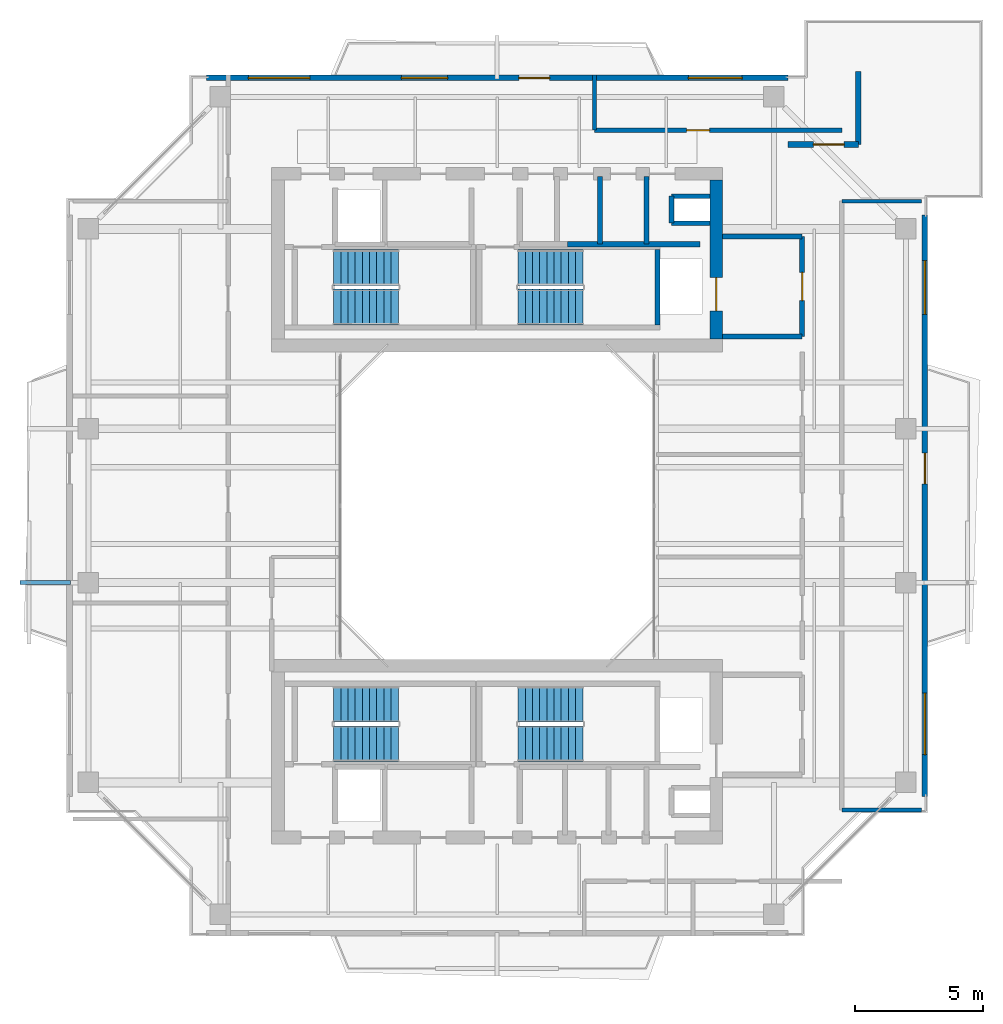
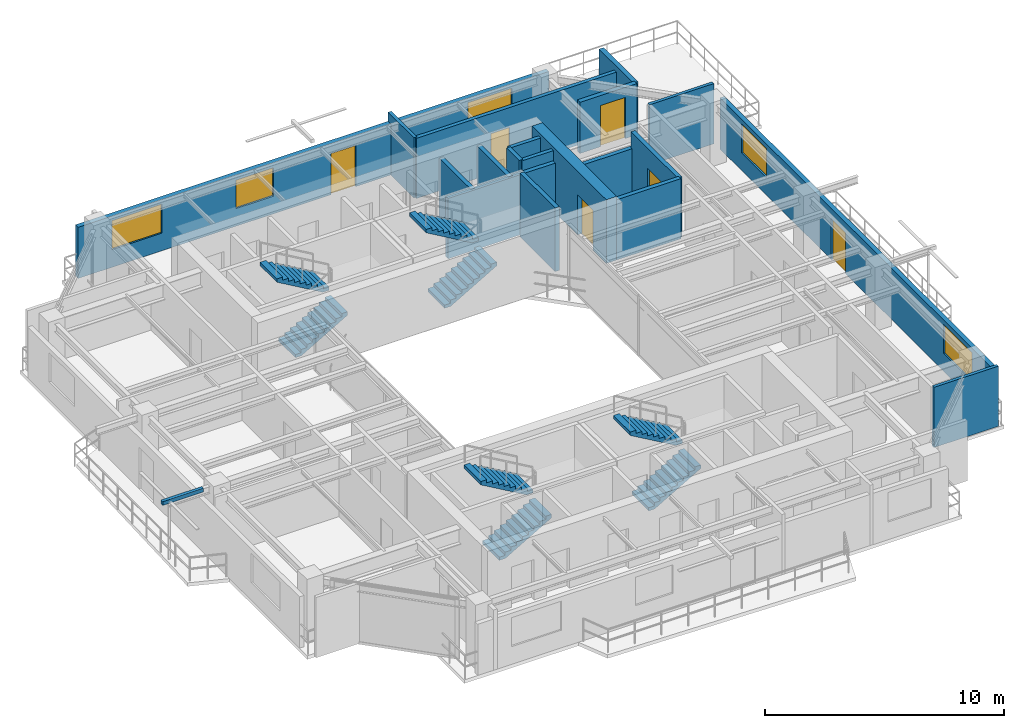
# One storey, part 12 of 16: 19 walls, 8 stair flights, 6 doors, 5 windows, 1 discrete accessory, 11 openings, 4 elements without a shape of their own.
"""IFC4 building model written with IfcOpenShell, lengths in metres."""

from ifc_helpers import new_model, si_unit, direction, frame, frame_2d, origin, origin_2d, place, context, subcontext, project, spatial, polyline, rectangle, outline, extrude, source, transform, mapped, material, layer, layer_set, type_object, element, fill, aggregate, save


model = new_model("IFC4")

# Units and contexts
model_context = context("Model", 3, precision=1e-05, world=origin(), true_north=direction((0.0, 1.0)))
body_context = subcontext(model_context, "Body", "Model", "MODEL_VIEW")
ifc_project = project(units=[si_unit("LENGTHUNIT", "METRE"), si_unit("AREAUNIT", "SQUARE_METRE"), si_unit("VOLUMEUNIT", "CUBIC_METRE"), si_unit("PLANEANGLEUNIT", "RADIAN"), si_unit("MASSUNIT", "GRAM", prefix="KILO"), si_unit("THERMODYNAMICTEMPERATUREUNIT", "KELVIN"), si_unit("POWERUNIT", "WATT")], contexts=[model_context])

# Site, building, storey
site_placement = place(None, origin())
site = spatial("IfcSite", under=ifc_project, at=site_placement, CompositionType="ELEMENT")
building_placement = place(site_placement, origin())
building = spatial("IfcBuilding", under=site, at=building_placement, Name="Qiaomeng Ring Towers", CompositionType="ELEMENT")
storey_placement = place(building_placement, frame((0.0, 0.0, 223.0)))
storey = spatial("IfcBuildingStorey", under=building, at=storey_placement, Name="L65", CompositionType="ELEMENT", Elevation=223.0)

# Wall, openings, windows, door
ifc_material_1 = material(Name="Precast concrete C40", Category="concrete")
ifc_layer_1 = layer(ifc_material_1, 0.219970703125, Name="Precast concrete C40")
ifc_layer_set_1 = layer_set([ifc_layer_1], Name="Precast concrete C40")
wall_type_1 = type_object("IfcWallType", Name="ARC-WL-EW2", PredefinedType="STANDARD", material=ifc_layer_set_1)
wall_1_placement = place(storey_placement, frame((7.64990234375, 39.68994140625, 0.0), z_axis=(0.0, 0.0, 1.0), x_axis=(1.0, 0.0, 0.0)))
wall_1 = element("IfcWall", 1, at=wall_1_placement, inside=storey, type_object=wall_type_1, Name="L65 Tower 1 N Exterior Wall", PredefinedType="STANDARD", context=body_context, shape_type="SweptSolid", body=[
    extrude(rectangle(XDim=22.7001953125, YDim=0.219970703125, at=frame_2d((11.35009765625, 0.0))), origin(), (0.0, 0.0, 1.0), 2.610107421875),
])
opening_1_placement = place(wall_1_placement, frame((12.199951171875, 0.0, 0.0)))
opening_1 = element("IfcOpeningElement", 2, at=opening_1_placement, cuts=wall_1, Name="Opening BD1", PredefinedType="OPENING", context=body_context, shape_type="SweptSolid", body=[
    extrude(rectangle(XDim=1.199951171875, YDim=2.10009765625, at=frame_2d((0.60009765625, 1.050048828125))), frame((0.0, 0.119873046875, 0.0), z_axis=(0.0, -1.0, 0.0), x_axis=(1.0, 0.0, 0.0)), (0.0, 0.0, 1.0), 0.239990234375),
])
opening_2_placement = place(wall_1_placement, frame((1.636962890625, 0.0, 0.89990234375)))
opening_2 = element("IfcOpeningElement", 3, at=opening_2_placement, cuts=wall_1, Name="Opening WN6", PredefinedType="OPENING", context=body_context, shape_type="SweptSolid", body=[
    extrude(rectangle(XDim=2.39990234375, YDim=1.47998046875, at=frame_2d((1.199951171875, 0.739990234375))), frame((0.0, 0.119873046875, 0.0), z_axis=(0.0, -1.0, 0.0), x_axis=(1.0, 0.0, 0.0)), (0.0, 0.0, 1.0), 0.239990234375),
])
opening_3_placement = place(wall_1_placement, frame((7.612060546875, 0.0, 0.89990234375)))
opening_3 = element("IfcOpeningElement", 4, at=opening_3_placement, cuts=wall_1, Name="Opening WN1", PredefinedType="OPENING", context=body_context, shape_type="SweptSolid", body=[
    extrude(rectangle(XDim=1.800048828125, YDim=1.449951171875, at=frame_2d((0.89990234375, 0.72509765625))), frame((0.0, 0.119873046875, 0.0), z_axis=(0.0, -1.0, 0.0), x_axis=(1.0, 0.0, 0.0)), (0.0, 0.0, 1.0), 0.239990234375),
])
opening_4_placement = place(wall_1_placement, frame((18.81201171875, 0.0, 0.89990234375)))
opening_4 = element("IfcOpeningElement", 5, at=opening_4_placement, cuts=wall_1, Name="Opening WN4", PredefinedType="OPENING", context=body_context, shape_type="SweptSolid", body=[
    extrude(rectangle(XDim=2.10009765625, YDim=1.47998046875, at=frame_2d((1.050048828125, 0.739990234375))), frame((0.0, 0.119873046875, 0.0), z_axis=(0.0, -1.0, 0.0), x_axis=(1.0, 0.0, 0.0)), (0.0, 0.0, 1.0), 0.239990234375),
])
ifc_material_2 = material(Name="Low-E dark-grey laminated double glazing", Category="glass")
window_type_1 = type_object("IfcWindowType", Name="ARC-WN-4", PartitioningType="TRIPLE_PANEL_VERTICAL", PredefinedType="WINDOW", material=ifc_material_2)
shared_shape_1 = source(origin(), body_context, "Body", "SweptSolid", [
    extrude(rectangle(XDim=2.10009765625, YDim=1.47998046875, at=frame_2d((1.050048828125, 0.739990234375))), frame((0.0, 0.030029296875, 0.0), z_axis=(0.0, -1.0, 0.0), x_axis=(1.0, 0.0, 0.0)), (0.0, 0.0, 1.0), 0.06005859375),
])
window_1_placement = place(opening_4_placement, origin())
window_1 = element("IfcWindow", 6, at=window_1_placement, inside=storey, type_object=window_type_1, Name="L65 Exterior Window WN4", OverallHeight=1.47998046875, OverallWidth=2.10009765625, PartitioningType="TRIPLE_PANEL_VERTICAL", PredefinedType="WINDOW", context=body_context, shape_type="MappedRepresentation", body=[
    mapped(shared_shape_1, transform((0.0, 0.0, 0.0), x_axis=(1.0, 0.0, 0.0), y_axis=(0.0, 1.0, 0.0), z_axis=(0.0, 0.0, 1.0), scale=1.0)),
])
fill(opening_4, window_1)
window_type_2 = type_object("IfcWindowType", Name="ARC-WN-1", PartitioningType="DOUBLE_PANEL_VERTICAL", PredefinedType="WINDOW", material=ifc_material_2)
shared_shape_2 = source(origin(), body_context, "Body", "SweptSolid", [
    extrude(rectangle(XDim=1.800048828125, YDim=1.449951171875, at=frame_2d((0.89990234375, 0.72509765625))), frame((0.0, 0.030029296875, 0.0), z_axis=(0.0, -1.0, 0.0), x_axis=(1.0, 0.0, 0.0)), (0.0, 0.0, 1.0), 0.06005859375),
])
window_2_placement = place(opening_3_placement, origin())
window_2 = element("IfcWindow", 7, at=window_2_placement, inside=storey, type_object=window_type_2, Name="L65 Exterior Window WN1", OverallHeight=1.449951171875, OverallWidth=1.800048828125, PartitioningType="DOUBLE_PANEL_VERTICAL", PredefinedType="WINDOW", context=body_context, shape_type="MappedRepresentation", body=[
    mapped(shared_shape_2, transform((0.0, 0.0, 0.0), x_axis=(1.0, 0.0, 0.0), y_axis=(0.0, 1.0, 0.0), z_axis=(0.0, 0.0, 1.0), scale=1.0)),
])
fill(opening_3, window_2)
window_type_3 = type_object("IfcWindowType", Name="ARC-WN-6", PartitioningType="TRIPLE_PANEL_VERTICAL", PredefinedType="WINDOW", material=ifc_material_2)
shared_shape_3 = source(origin(), body_context, "Body", "SweptSolid", [
    extrude(rectangle(XDim=2.39990234375, YDim=1.47998046875, at=frame_2d((1.199951171875, 0.739990234375))), frame((0.0, 0.030029296875, 0.0), z_axis=(0.0, -1.0, 0.0), x_axis=(1.0, 0.0, 0.0)), (0.0, 0.0, 1.0), 0.06005859375),
])
window_3_placement = place(opening_2_placement, origin())
window_3 = element("IfcWindow", 8, at=window_3_placement, inside=storey, type_object=window_type_3, Name="L65 Exterior Window WN6", OverallHeight=1.47998046875, OverallWidth=2.39990234375, PartitioningType="TRIPLE_PANEL_VERTICAL", PredefinedType="WINDOW", context=body_context, shape_type="MappedRepresentation", body=[
    mapped(shared_shape_3, transform((0.0, 0.0, 0.0), x_axis=(1.0, 0.0, 0.0), y_axis=(0.0, 1.0, 0.0), z_axis=(0.0, 0.0, 1.0), scale=1.0)),
])
fill(opening_2, window_3)
door_type_1 = type_object("IfcDoorType", Name="ARC-DR-BD1", OperationType="NOTDEFINED", PredefinedType="DOOR", material=ifc_material_2)
shared_shape_4 = source(origin(), body_context, "Body", "SweptSolid", [
    extrude(rectangle(XDim=1.199951171875, YDim=2.10009765625, at=frame_2d((0.60009765625, 1.050048828125))), frame((0.0, 0.02490234375, 0.0), z_axis=(0.0, -1.0, 0.0), x_axis=(1.0, 0.0, 0.0)), (0.0, 0.0, 1.0), 0.050048828125),
])
door_1_placement = place(opening_1_placement, origin())
door_1 = element("IfcDoor", 9, at=door_1_placement, inside=storey, type_object=door_type_1, Name="L65 N Balcony Glazed Door", OperationType="SINGLE_SWING_LEFT", OverallHeight=2.10009765625, OverallWidth=1.199951171875, PredefinedType="DOOR", context=body_context, shape_type="MappedRepresentation", body=[
    mapped(shared_shape_4, transform((0.0, 0.0, 0.0), x_axis=(1.0, 0.0, 0.0), y_axis=(0.0, 1.0, 0.0), z_axis=(0.0, 0.0, 1.0), scale=1.0)),
])
fill(opening_1, door_1)

wall_2_placement = place(storey_placement, frame((35.68994140625, 11.64990234375, 0.0), z_axis=(0.0, 0.0, 1.0), x_axis=(0.0, 1.0, 0.0)))
wall_2 = element("IfcWall", 10, at=wall_2_placement, inside=storey, type_object=wall_type_1, Name="L65 Tower 1 E Exterior Wall", PredefinedType="STANDARD", context=body_context, shape_type="SweptSolid", body=[
    extrude(rectangle(XDim=22.7001953125, YDim=0.219970703125, at=frame_2d((11.35009765625, 0.0))), origin(), (0.0, 0.0, 1.0), 2.610107421875),
])
opening_5_placement = place(wall_2_placement, frame((12.199951171875, 0.0, 0.0)))
opening_5 = element("IfcOpeningElement", 11, at=opening_5_placement, cuts=wall_2, Name="Opening BD1", PredefinedType="OPENING", context=body_context, shape_type="SweptSolid", body=[
    extrude(rectangle(XDim=1.199951171875, YDim=2.10009765625, at=frame_2d((0.60009765625, 1.050048828125))), frame((0.0, 0.119873046875, 0.0), z_axis=(0.0, -1.0, 0.0), x_axis=(1.0, 0.0, 0.0)), (0.0, 0.0, 1.0), 0.239990234375),
])
opening_6_placement = place(wall_2_placement, frame((1.637939453125, 0.0, 0.89990234375)))
opening_6 = element("IfcOpeningElement", 12, at=opening_6_placement, cuts=wall_2, Name="Opening WN6", PredefinedType="OPENING", context=body_context, shape_type="SweptSolid", body=[
    extrude(rectangle(XDim=2.39990234375, YDim=1.47998046875, at=frame_2d((1.199951171875, 0.739990234375))), frame((0.0, 0.119873046875, 0.0), z_axis=(0.0, -1.0, 0.0), x_axis=(1.0, 0.0, 0.0)), (0.0, 0.0, 1.0), 0.239990234375),
])
opening_7_placement = place(wall_2_placement, frame((18.81298828125, 0.0, 0.89990234375)))
opening_7 = element("IfcOpeningElement", 13, at=opening_7_placement, cuts=wall_2, Name="Opening WN4", PredefinedType="OPENING", context=body_context, shape_type="SweptSolid", body=[
    extrude(rectangle(XDim=2.10009765625, YDim=1.47998046875, at=frame_2d((1.050048828125, 0.739990234375))), frame((0.0, 0.119873046875, 0.0), z_axis=(0.0, -1.0, 0.0), x_axis=(1.0, 0.0, 0.0)), (0.0, 0.0, 1.0), 0.239990234375),
])
window_4_placement = place(opening_7_placement, origin())
window_4 = element("IfcWindow", 14, at=window_4_placement, inside=storey, type_object=window_type_1, Name="L65 Exterior Window WN4", OverallHeight=1.47998046875, OverallWidth=2.10009765625, PartitioningType="TRIPLE_PANEL_VERTICAL", PredefinedType="WINDOW", context=body_context, shape_type="MappedRepresentation", body=[
    mapped(shared_shape_1, transform((0.0, 0.0, 0.0), x_axis=(1.0, 0.0, 0.0), y_axis=(0.0, 1.0, 0.0), z_axis=(0.0, 0.0, 1.0), scale=1.0)),
])
fill(opening_7, window_4)
window_5_placement = place(opening_6_placement, origin())
window_5 = element("IfcWindow", 15, at=window_5_placement, inside=storey, type_object=window_type_3, Name="L65 Exterior Window WN6", OverallHeight=1.47998046875, OverallWidth=2.39990234375, PartitioningType="TRIPLE_PANEL_VERTICAL", PredefinedType="WINDOW", context=body_context, shape_type="MappedRepresentation", body=[
    mapped(shared_shape_3, transform((0.0, 0.0, 0.0), x_axis=(1.0, 0.0, 0.0), y_axis=(0.0, 1.0, 0.0), z_axis=(0.0, 0.0, 1.0), scale=1.0)),
])
fill(opening_6, window_5)
door_2_placement = place(opening_5_placement, origin())
door_2 = element("IfcDoor", 16, at=door_2_placement, inside=storey, type_object=door_type_1, Name="L65 E Balcony Glazed Door", OperationType="SINGLE_SWING_LEFT", OverallHeight=2.10009765625, OverallWidth=1.199951171875, PredefinedType="DOOR", context=body_context, shape_type="MappedRepresentation", body=[
    mapped(shared_shape_4, transform((0.0, 0.0, 0.0), x_axis=(1.0, 0.0, 0.0), y_axis=(0.0, 1.0, 0.0), z_axis=(0.0, 0.0, 1.0), scale=1.0)),
])
fill(opening_5, door_2)

# Wall, opening, door
wall_3_placement = place(storey_placement, frame((30.35009765625, 37.090087890625, 0.0), z_axis=(0.0, 0.0, 1.0), x_axis=(1.0, 0.0, 0.0)))
wall_3 = element("IfcWall", 17, at=wall_3_placement, inside=storey, type_object=wall_type_1, Name="L65 Spiral Terrace Wall NE", PredefinedType="STANDARD", context=body_context, shape_type="SweptSolid", body=[
    extrude(rectangle(XDim=2.739990234375, YDim=0.219970703125, at=frame_2d((1.3701171875, 0.0))), origin(), (0.0, 0.0, 1.0), 2.610107421875),
])
opening_8_placement = place(wall_3_placement, frame((0.989990234375, 0.0, 0.0)))
opening_8 = element("IfcOpeningElement", 18, at=opening_8_placement, cuts=wall_3, Name="Opening BD1", PredefinedType="OPENING", context=body_context, shape_type="SweptSolid", body=[
    extrude(rectangle(XDim=1.199951171875, YDim=2.10009765625, at=frame_2d((0.60009765625, 1.050048828125))), frame((0.0, 0.119873046875, 0.0), z_axis=(0.0, -1.0, 0.0), x_axis=(1.0, 0.0, 0.0)), (0.0, 0.0, 1.0), 0.239990234375),
])
door_3_placement = place(opening_8_placement, frame((1.199951171875, 0.0, 0.0), z_axis=(0.0, 0.0, 1.0), x_axis=(-1.0, 0.0, 0.0)))
door_3 = element("IfcDoor", 19, at=door_3_placement, inside=storey, type_object=door_type_1, Name="L65 Spiral Sky Terrace Door NE", OperationType="SINGLE_SWING_LEFT", OverallHeight=2.10009765625, OverallWidth=1.199951171875, PredefinedType="DOOR", context=body_context, shape_type="MappedRepresentation", body=[
    mapped(shared_shape_4, transform((0.0, 0.0, 0.0), x_axis=(1.0, 0.0, 0.0), y_axis=(0.0, 1.0, 0.0), z_axis=(0.0, 0.0, 1.0), scale=1.0)),
])
fill(opening_8, door_3)

# Walls
wall_4_placement = place(storey_placement, frame((33.090087890625, 37.090087890625, 0.0), z_axis=(0.0, 0.0, 1.0), x_axis=(0.0, 1.0, 0.0)))
element("IfcWall", 20, at=wall_4_placement, inside=storey, type_object=wall_type_1, Name="L65 Spiral Terrace Return Wall NE", PredefinedType="STANDARD", context=body_context, shape_type="SweptSolid", body=[
    extrude(rectangle(XDim=2.85986328125, YDim=0.219970703125, at=frame_2d((1.429931640625, 0.0))), origin(), (0.0, 0.0, 1.0), 2.610107421875),
])
ifc_material_3 = material(Name="Autoclaved aerated concrete block", Category="concrete")
ifc_layer_2 = layer(ifc_material_3, 0.199951171875, Name="Autoclaved aerated concrete block")
ifc_layer_set_2 = layer_set([ifc_layer_2], Name="Autoclaved aerated concrete block")
wall_type_2 = type_object("IfcWallType", Name="ARC-WL-PW1", PredefinedType="PARTITIONING", material=ifc_layer_set_2)
wall_5_placement = place(storey_placement, frame((27.800048828125, 29.60009765625, 0.0), z_axis=(0.0, 0.0, 1.0), x_axis=(1.0, 0.0, 0.0)))
element("IfcWall", 21, at=wall_5_placement, inside=storey, type_object=wall_type_2, Name="L65 Interior Wall PW1", PredefinedType="PARTITIONING", context=body_context, shape_type="SweptSolid", body=[
    extrude(rectangle(XDim=3.099853515625, YDim=0.199951171875, at=frame_2d((1.5498046875, 0.0))), origin(), (0.0, 0.0, 1.0), 3.070068359375),
])
wall_6_placement = place(storey_placement, frame((27.800048828125, 33.5, 0.0), z_axis=(0.0, 0.0, 1.0), x_axis=(1.0, 0.0, 0.0)))
element("IfcWall", 22, at=wall_6_placement, inside=storey, type_object=wall_type_2, Name="L65 Interior Wall PW1", PredefinedType="PARTITIONING", context=body_context, shape_type="SweptSolid", body=[
    extrude(rectangle(XDim=3.099853515625, YDim=0.199951171875, at=frame_2d((1.5498046875, 0.0))), origin(), (0.0, 0.0, 1.0), 2.264892578125),
])

# Wall, opening, door
wall_7_placement = place(storey_placement, frame((30.89990234375, 29.60009765625, 0.0), z_axis=(0.0, 0.0, 1.0), x_axis=(0.0, 1.0, 0.0)))
wall_7 = element("IfcWall", 23, at=wall_7_placement, inside=storey, type_object=wall_type_2, Name="L65 Interior Wall PW1", PredefinedType="PARTITIONING", context=body_context, shape_type="SweptSolid", body=[
    extrude(rectangle(XDim=3.89990234375, YDim=0.199951171875, at=frame_2d((1.949951171875, 0.0))), origin(), (0.0, 0.0, 1.0), 3.070068359375),
])
opening_9_placement = place(wall_7_placement, frame((1.39990234375, 0.0, 0.0)))
opening_9 = element("IfcOpeningElement", 24, at=opening_9_placement, cuts=wall_7, Name="Opening FD3", PredefinedType="OPENING", context=body_context, shape_type="SweptSolid", body=[
    extrude(rectangle(XDim=1.10009765625, YDim=2.050048828125, at=frame_2d((0.550048828125, 1.02490234375))), frame((0.0, 0.10986328125, 0.0), z_axis=(0.0, -1.0, 0.0), x_axis=(1.0, 0.0, 0.0)), (0.0, 0.0, 1.0), 0.219970703125),
])
ifc_material_4 = material(Name="Galvanised steel", Category="steel")
door_type_2 = type_object("IfcDoorType", Name="ARC-DR-FD3", OperationType="NOTDEFINED", PredefinedType="DOOR", material=ifc_material_4)
shared_shape_5 = source(origin(), body_context, "Body", "SweptSolid", [
    extrude(rectangle(XDim=1.10009765625, YDim=2.050048828125, at=frame_2d((0.550048828125, 1.02490234375))), frame((0.0, 0.02490234375, 0.0), z_axis=(0.0, -1.0, 0.0), x_axis=(1.0, 0.0, 0.0)), (0.0, 0.0, 1.0), 0.050048828125),
])
door_4_placement = place(opening_9_placement, origin())
door_4 = element("IfcDoor", 25, at=door_4_placement, inside=storey, type_object=door_type_2, Name="L65 North FF Lobby Door", OperationType="SINGLE_SWING_RIGHT", OverallHeight=2.050048828125, OverallWidth=1.10009765625, PredefinedType="DOOR", context=body_context, shape_type="MappedRepresentation", body=[
    mapped(shared_shape_5, transform((0.0, 0.0, 0.0), x_axis=(1.0, 0.0, 0.0), y_axis=(0.0, 1.0, 0.0), z_axis=(0.0, 0.0, 1.0), scale=1.0)),
])
fill(opening_9, door_4)

# Walls
for number, where, z_axis, x_axis, name in (
    (26, (24.820068359375, 33.199951171875, 0.0), (0.0, 0.0, 1.0), (0.0, 1.0, 0.0), "L65 Interior Wall PW1"),
    (27, (23.010009765625, 33.199951171875, 0.0), (0.0, 0.0, 1.0), (0.0, 1.0, 0.0), "L65 Interior Wall PW1"),
):
    element("IfcWall", number, at=place(storey_placement, frame(where, z_axis=z_axis, x_axis=x_axis)), inside=storey, type_object=wall_type_2, Name=name, PredefinedType="PARTITIONING", context=body_context, shape_type="SweptSolid", body=[
        extrude(rectangle(XDim=2.650146484375, YDim=0.199951171875, at=frame_2d((1.3251953125, 0.0))), origin(), (0.0, 0.0, 1.0), 3.070068359375),
    ])
wall_8_placement = place(storey_placement, frame((21.75, 33.199951171875, 0.0), z_axis=(0.0, 0.0, 1.0), x_axis=(1.0, 0.0, 0.0)))
element("IfcWall", 28, at=wall_8_placement, inside=storey, type_object=wall_type_2, Name="L65 Interior Wall PW1", PredefinedType="PARTITIONING", context=body_context, shape_type="SweptSolid", body=[
    extrude(rectangle(XDim=5.169921875, YDim=0.199951171875, at=frame_2d((2.5849609375, 0.0))), origin(), (0.0, 0.0, 1.0), 3.070068359375),
])

# Wall, opening, door
ifc_layer_3 = layer(ifc_material_3, 0.179931640625, Name="Autoclaved aerated concrete block")
ifc_layer_set_3 = layer_set([ifc_layer_3], Name="Autoclaved aerated concrete block")
wall_type_3 = type_object("IfcWallType", Name="ARC-WL-PW2", PredefinedType="PARTITIONING", material=ifc_layer_set_3)
wall_9_placement = place(storey_placement, frame((22.800048828125, 37.64990234375, 0.0), z_axis=(0.0, 0.0, 1.0), x_axis=(1.0, 0.0, 0.0)))
wall_9 = element("IfcWall", 29, at=wall_9_placement, inside=storey, type_object=wall_type_3, Name="L65 Interior Wall PW2", PredefinedType="PARTITIONING", context=body_context, shape_type="SweptSolid", body=[
    extrude(rectangle(XDim=9.64990234375, YDim=0.179931640625, at=frame_2d((4.824951171875, 0.0))), origin(), (0.0, 0.0, 1.0), 3.070068359375),
])
opening_10_placement = place(wall_9_placement, frame((3.590087890625, 0.0, 0.0)))
opening_10 = element("IfcOpeningElement", 30, at=opening_10_placement, cuts=wall_9, Name="Opening ID1", PredefinedType="OPENING", context=body_context, shape_type="SweptSolid", body=[
    extrude(rectangle(XDim=0.89990234375, YDim=2.050048828125, at=frame_2d((0.449951171875, 1.02490234375))), frame((0.0, 0.099853515625, 0.0), z_axis=(0.0, -1.0, 0.0), x_axis=(1.0, 0.0, 0.0)), (0.0, 0.0, 1.0), 0.199951171875),
])
ifc_material_5 = material(Name="Engineered oak timber", Category="wood")
door_type_3 = type_object("IfcDoorType", Name="ARC-DR-ID1", OperationType="NOTDEFINED", PredefinedType="DOOR", material=ifc_material_5)
shared_shape_6 = source(origin(), body_context, "Body", "SweptSolid", [
    extrude(rectangle(XDim=0.89990234375, YDim=2.050048828125, at=frame_2d((0.449951171875, 1.02490234375))), frame((0.0, 0.02490234375, 0.0), z_axis=(0.0, -1.0, 0.0), x_axis=(1.0, 0.0, 0.0)), (0.0, 0.0, 1.0), 0.050048828125),
])
door_5_placement = place(opening_10_placement, origin())
door_5 = element("IfcDoor", 31, at=door_5_placement, inside=storey, type_object=door_type_3, Name="L65 Door ID1", OperationType="SINGLE_SWING_RIGHT", OverallHeight=2.050048828125, OverallWidth=0.89990234375, PredefinedType="DOOR", context=body_context, shape_type="MappedRepresentation", body=[
    mapped(shared_shape_6, transform((0.0, 0.0, 0.0), x_axis=(1.0, 0.0, 0.0), y_axis=(0.0, 1.0, 0.0), z_axis=(0.0, 0.0, 1.0), scale=1.0)),
])
fill(opening_10, door_5)

# Walls
ifc_material_6 = material(Name="Gypsum fireboard steel-stud partition", Category="steel")
ifc_layer_4 = layer(ifc_material_6, 0.14990234375, Name="Gypsum fireboard steel-stud partition")
ifc_layer_set_4 = layer_set([ifc_layer_4], Name="Gypsum fireboard steel-stud partition")
wall_type_4 = type_object("IfcWallType", Name="ARC-WL-PW3", PredefinedType="PARTITIONING", material=ifc_layer_set_4)
wall_10_placement = place(storey_placement, frame((22.800048828125, 37.64990234375, 0.0), z_axis=(0.0, 0.0, 1.0), x_axis=(0.0, 1.0, 0.0)))
element("IfcWall", 32, at=wall_10_placement, inside=storey, type_object=wall_type_4, Name="L65 Interior Wall PW3", PredefinedType="PARTITIONING", context=body_context, shape_type="SweptSolid", body=[
    extrude(rectangle(XDim=2.150146484375, YDim=0.14990234375, at=frame_2d((1.0751953125, 0.0))), origin(), (0.0, 0.0, 1.0), 3.070068359375),
])
for number, where, z_axis, x_axis, name in (
    (33, (32.449951171875, 34.8798828125, 0.0), (0.0, 0.0, 1.0), (1.0, 0.0, 0.0), "L65 Interior Wall PW3"),
    (34, (32.449951171875, 11.1201171875, 0.0), (0.0, 0.0, 1.0), (1.0, 0.0, 0.0), "L65 Interior Wall PW3"),
):
    element("IfcWall", number, at=place(storey_placement, frame(where, z_axis=z_axis, x_axis=x_axis)), inside=storey, type_object=wall_type_4, Name=name, PredefinedType="PARTITIONING", context=body_context, shape_type="SweptSolid", body=[
        extrude(rectangle(XDim=3.10009765625, YDim=0.14990234375, at=frame_2d((1.550048828125, 0.0))), origin(), (0.0, 0.0, 1.0), 3.070068359375),
    ])
ifc_material_7 = material(Name="Concrete C40", Category="concrete")
ifc_layer_5 = layer(ifc_material_7, 0.199951171875, Name="Concrete C40")
ifc_layer_set_5 = layer_set([ifc_layer_5], Name="Concrete C40")
wall_type_5 = type_object("IfcWallType", Name="STR-WL-STSHAFT", PredefinedType="SHEAR", material=ifc_layer_set_5)
wall_11_placement = place(storey_placement, frame((25.800048828125, 34.02001953125, 0.0), z_axis=(0.0, 0.0, 1.0), x_axis=(0.0, 1.0, 0.0)))
element("IfcWall", 35, at=wall_11_placement, inside=storey, type_object=wall_type_5, Name="L65 Riser RSR1 West Shaft Wall N", PredefinedType="SHEAR", context=body_context, shape_type="SweptSolid", body=[
    extrude(rectangle(XDim=1.06005859375, YDim=0.179931640625, at=frame_2d((0.530029296875, 0.0))), origin(), (0.0, 0.0, 1.0), 3.070068359375),
])
for number, where, z_axis, x_axis, name in (
    (36, (25.800048828125, 35.080078125, 0.0), (0.0, 0.0, 1.0), (1.0, 0.0, 0.0), "L65 Riser RSR1 North Shaft Wall N"),
    (37, (25.800048828125, 34.02001953125, 0.0), (0.0, 0.0, 1.0), (1.0, 0.0, 0.0), "L65 Riser RSR1 South Shaft Wall N"),
):
    element("IfcWall", number, at=place(storey_placement, frame(where, z_axis=z_axis, x_axis=x_axis)), inside=storey, type_object=wall_type_5, Name=name, PredefinedType="SHEAR", context=body_context, shape_type="SweptSolid", body=[
        extrude(rectangle(XDim=1.5, YDim=0.179931640625, at=frame_2d((0.75, 0.0))), origin(), (0.0, 0.0, 1.0), 3.070068359375),
    ])
wall_12_placement = place(storey_placement, frame((25.25, 30.050048828125, 0.0), z_axis=(0.0, 0.0, 1.0), x_axis=(0.0, 1.0, 0.0)))
element("IfcWall", 38, at=wall_12_placement, inside=storey, type_object=wall_type_5, Name="L65 Stair ST2 East Shaft Shear Wall", PredefinedType="SHEAR", context=body_context, shape_type="SweptSolid", body=[
    extrude(rectangle(XDim=2.93994140625, YDim=0.199951171875, at=frame_2d((1.469970703125, 0.0))), origin(), (0.0, 0.0, 1.0), 3.25),
])

# Wall, opening, door
ifc_layer_6 = layer(ifc_material_7, 0.5, Name="Concrete C40")
ifc_layer_set_6 = layer_set([ifc_layer_6], Name="Concrete C40")
wall_type_6 = type_object("IfcWallType", Name="STR-WL-SW3", PredefinedType="SHEAR", material=ifc_layer_set_6)
wall_13_placement = place(storey_placement, frame((27.550048828125, 29.5, 0.0), z_axis=(0.0, 0.0, 1.0), x_axis=(0.0, 1.0, 0.0)))
wall_13 = element("IfcWall", 39, at=wall_13_placement, inside=storey, type_object=wall_type_6, Name="L65 T1NC east core shear wall", PredefinedType="SHEAR", context=body_context, shape_type="SweptSolid", body=[
    extrude(rectangle(XDim=6.199951171875, YDim=0.5, at=frame_2d((3.10009765625, 0.0))), origin(), (0.0, 0.0, 1.0), 3.25),
])
opening_11_placement = place(wall_13_placement, frame((1.10009765625, 0.0, 0.0)))
opening_11 = element("IfcOpeningElement", 40, at=opening_11_placement, cuts=wall_13, Name="Opening LD2", PredefinedType="OPENING", context=body_context, shape_type="SweptSolid", body=[
    extrude(rectangle(XDim=1.300048828125, YDim=2.050048828125, at=frame_2d((0.64990234375, 1.02490234375))), frame((0.0, 0.260009765625, 0.0), z_axis=(0.0, -1.0, 0.0), x_axis=(1.0, 0.0, 0.0)), (0.0, 0.0, 1.0), 0.52001953125),
])
ifc_material_8 = material(Name="Stainless steel 316", Category="steel")
door_type_4 = type_object("IfcDoorType", Name="ARC-DR-LD2", OperationType="NOTDEFINED", PredefinedType="DOOR", material=ifc_material_8)
shared_shape_7 = source(origin(), body_context, "Body", "SweptSolid", [
    extrude(rectangle(XDim=1.300048828125, YDim=2.050048828125, at=frame_2d((0.64990234375, 1.02490234375))), frame((0.0, 0.02490234375, 0.0), z_axis=(0.0, -1.0, 0.0), x_axis=(1.0, 0.0, 0.0)), (0.0, 0.0, 1.0), 0.050048828125),
])
door_6_placement = place(opening_11_placement, origin())
door_6 = element("IfcDoor", 41, at=door_6_placement, inside=storey, type_object=door_type_4, Name="L65 Firefighting Lift FL1 Landing Door", OperationType="SLIDING_TO_LEFT", OverallHeight=2.050048828125, OverallWidth=1.300048828125, PredefinedType="DOOR", context=body_context, shape_type="MappedRepresentation", body=[
    mapped(shared_shape_7, transform((0.0, 0.0, 0.0), x_axis=(1.0, 0.0, 0.0), y_axis=(0.0, 1.0, 0.0), z_axis=(0.0, 0.0, 1.0), scale=1.0)),
])
fill(opening_11, door_6)

# Stair, stair flights
stair_type = type_object("IfcStairType", Name="ARC-ST-325", PredefinedType="HALF_TURN_STAIR", material=ifc_material_1)
stair_1_placement = place(storey_placement, origin())
stair_1 = element("IfcStair", 42, at=stair_1_placement, inside=storey, type_object=stair_type, Name="L65 Tower 1 North Stair 1", PredefinedType="HALF_TURN_STAIR")
stair_flight_type = type_object("IfcStairFlightType", Name="ARC-ST-325-FL", PredefinedType="STRAIGHT", material=ifc_material_1)
shared_shape_8 = source(origin(), body_context, "Body", "SweptSolid", [
    extrude(outline(polyline([(0.0, 0.0), (0.0, 0.16259765625), (0.280029296875, 0.16259765625), (0.280029296875, 0.324951171875), (0.56005859375, 0.324951171875), (0.56005859375, 0.487548828125), (0.840087890625, 0.487548828125), (0.840087890625, 0.64990234375), (1.1201171875, 0.64990234375), (1.1201171875, 0.8125), (1.39990234375, 0.8125), (1.39990234375, 0.97509765625), (1.679931640625, 0.97509765625), (1.679931640625, 1.137451171875), (1.9599609375, 1.137451171875), (1.9599609375, 1.300048828125), (2.239990234375, 1.300048828125), (2.239990234375, 1.46240234375), (2.52001953125, 1.46240234375), (2.52001953125, 1.625), (2.52001953125, 1.2890625), (0.298583984375, 0.0), (0.0, 0.0)])), frame((0.0, 0.699951171875, 0.0), z_axis=(0.0, -1.0, 0.0), x_axis=(1.0, 0.0, 0.0)), (0.0, 0.0, 1.0), 1.39990234375),
])
stair_flight_1_placement = place(storey_placement, frame((12.6201171875, 30.75, 0.0), z_axis=(0.0, 0.0, 1.0), x_axis=(1.0, 0.0, 0.0)))
stair_flight_1 = element("IfcStairFlight", 43, at=stair_flight_1_placement, type_object=stair_flight_type, Name="ST1 flight 1", NumberOfRisers=10, NumberOfTreads=9, PredefinedType="STRAIGHT", RiserHeight=0.1625, TreadLength=0.28, context=body_context, shape_type="MappedRepresentation", body=[
    mapped(shared_shape_8, transform((0.0, 0.0, 0.0), x_axis=(1.0, 0.0, 0.0), y_axis=(0.0, 1.0, 0.0), z_axis=(0.0, 0.0, 1.0), scale=1.0)),
])
stair_flight_2_placement = place(storey_placement, frame((15.139892578125, 32.2900390625, 1.625), z_axis=(0.0, 0.0, 1.0), x_axis=(-1.0, 0.0, 0.0)))
stair_flight_2 = element("IfcStairFlight", 44, at=stair_flight_2_placement, type_object=stair_flight_type, Name="ST1 flight 2", NumberOfRisers=10, NumberOfTreads=9, PredefinedType="STRAIGHT", RiserHeight=0.1625, TreadLength=0.28, context=body_context, shape_type="MappedRepresentation", body=[
    mapped(shared_shape_8, transform((0.0, 0.0, 0.0), x_axis=(1.0, 0.0, 0.0), y_axis=(0.0, 1.0, 0.0), z_axis=(0.0, 0.0, 1.0), scale=1.0)),
])
aggregate(stair_1, [stair_flight_1, stair_flight_2])

stair_2_placement = place(storey_placement, origin())
stair_2 = element("IfcStair", 45, at=stair_2_placement, inside=storey, type_object=stair_type, Name="L65 Tower 1 North Stair 2", PredefinedType="HALF_TURN_STAIR")
stair_flight_3_placement = place(storey_placement, frame((19.820068359375, 30.75, 0.0), z_axis=(0.0, 0.0, 1.0), x_axis=(1.0, 0.0, 0.0)))
stair_flight_3 = element("IfcStairFlight", 46, at=stair_flight_3_placement, type_object=stair_flight_type, Name="ST2 flight 1", NumberOfRisers=10, NumberOfTreads=9, PredefinedType="STRAIGHT", RiserHeight=0.1625, TreadLength=0.28, context=body_context, shape_type="MappedRepresentation", body=[
    mapped(shared_shape_8, transform((0.0, 0.0, 0.0), x_axis=(1.0, 0.0, 0.0), y_axis=(0.0, 1.0, 0.0), z_axis=(0.0, 0.0, 1.0), scale=1.0)),
])
stair_flight_4_placement = place(storey_placement, frame((22.340087890625, 32.2900390625, 1.625), z_axis=(0.0, 0.0, 1.0), x_axis=(-1.0, 0.0, 0.0)))
stair_flight_4 = element("IfcStairFlight", 47, at=stair_flight_4_placement, type_object=stair_flight_type, Name="ST2 flight 2", NumberOfRisers=10, NumberOfTreads=9, PredefinedType="STRAIGHT", RiserHeight=0.1625, TreadLength=0.28, context=body_context, shape_type="MappedRepresentation", body=[
    mapped(shared_shape_8, transform((0.0, 0.0, 0.0), x_axis=(1.0, 0.0, 0.0), y_axis=(0.0, 1.0, 0.0), z_axis=(0.0, 0.0, 1.0), scale=1.0)),
])
aggregate(stair_2, [stair_flight_3, stair_flight_4])

stair_3_placement = place(storey_placement, origin())
stair_3 = element("IfcStair", 48, at=stair_3_placement, inside=storey, type_object=stair_type, Name="L65 Tower 1 South Stair 3", PredefinedType="HALF_TURN_STAIR")
stair_flight_5_placement = place(storey_placement, frame((12.6201171875, 13.7099609375, 0.0), z_axis=(0.0, 0.0, 1.0), x_axis=(1.0, 0.0, 0.0)))
stair_flight_5 = element("IfcStairFlight", 49, at=stair_flight_5_placement, type_object=stair_flight_type, Name="ST3 flight 1", NumberOfRisers=10, NumberOfTreads=9, PredefinedType="STRAIGHT", RiserHeight=0.1625, TreadLength=0.28, context=body_context, shape_type="MappedRepresentation", body=[
    mapped(shared_shape_8, transform((0.0, 0.0, 0.0), x_axis=(1.0, 0.0, 0.0), y_axis=(0.0, 1.0, 0.0), z_axis=(0.0, 0.0, 1.0), scale=1.0)),
])
stair_flight_6_placement = place(storey_placement, frame((15.139892578125, 15.25, 1.625), z_axis=(0.0, 0.0, 1.0), x_axis=(-1.0, 0.0, 0.0)))
stair_flight_6 = element("IfcStairFlight", 50, at=stair_flight_6_placement, type_object=stair_flight_type, Name="ST3 flight 2", NumberOfRisers=10, NumberOfTreads=9, PredefinedType="STRAIGHT", RiserHeight=0.1625, TreadLength=0.28, context=body_context, shape_type="MappedRepresentation", body=[
    mapped(shared_shape_8, transform((0.0, 0.0, 0.0), x_axis=(1.0, 0.0, 0.0), y_axis=(0.0, 1.0, 0.0), z_axis=(0.0, 0.0, 1.0), scale=1.0)),
])
aggregate(stair_3, [stair_flight_5, stair_flight_6])

stair_4_placement = place(storey_placement, origin())
stair_4 = element("IfcStair", 51, at=stair_4_placement, inside=storey, type_object=stair_type, Name="L65 Tower 1 South Stair 4", PredefinedType="HALF_TURN_STAIR")
stair_flight_7_placement = place(storey_placement, frame((19.820068359375, 13.7099609375, 0.0), z_axis=(0.0, 0.0, 1.0), x_axis=(1.0, 0.0, 0.0)))
stair_flight_7 = element("IfcStairFlight", 52, at=stair_flight_7_placement, type_object=stair_flight_type, Name="ST4 flight 1", NumberOfRisers=10, NumberOfTreads=9, PredefinedType="STRAIGHT", RiserHeight=0.1625, TreadLength=0.28, context=body_context, shape_type="MappedRepresentation", body=[
    mapped(shared_shape_8, transform((0.0, 0.0, 0.0), x_axis=(1.0, 0.0, 0.0), y_axis=(0.0, 1.0, 0.0), z_axis=(0.0, 0.0, 1.0), scale=1.0)),
])
stair_flight_8_placement = place(storey_placement, frame((22.340087890625, 15.25, 1.625), z_axis=(0.0, 0.0, 1.0), x_axis=(-1.0, 0.0, 0.0)))
stair_flight_8 = element("IfcStairFlight", 53, at=stair_flight_8_placement, type_object=stair_flight_type, Name="ST4 flight 2", NumberOfRisers=10, NumberOfTreads=9, PredefinedType="STRAIGHT", RiserHeight=0.1625, TreadLength=0.28, context=body_context, shape_type="MappedRepresentation", body=[
    mapped(shared_shape_8, transform((0.0, 0.0, 0.0), x_axis=(1.0, 0.0, 0.0), y_axis=(0.0, 1.0, 0.0), z_axis=(0.0, 0.0, 1.0), scale=1.0)),
])
aggregate(stair_4, [stair_flight_7, stair_flight_8])

# Discrete accessory
discrete_accessory_type = type_object("IfcDiscreteAccessoryType", Name="ARC-ACC-BRACKET", PredefinedType="BRACKET", material=ifc_material_8)
shared_shape_9 = source(origin(), body_context, "Body", "SweptSolid", [
    extrude(rectangle(XDim=1.969970703125, YDim=0.159912109375, at=origin_2d()), origin(), (0.0, 0.0, 1.0), 0.179931640625),
])
discrete_accessory_placement = place(storey_placement, frame((1.364990234375, 20.0, 2.89990234375), z_axis=(0.0, 0.0, 1.0), x_axis=(1.0, 0.0, 0.0)))
element("IfcDiscreteAccessory", 54, at=discrete_accessory_placement, inside=storey, type_object=discrete_accessory_type, Name="L65 Stainless Outer-Skin Tie Bracket W", PredefinedType="BRACKET", context=body_context, shape_type="MappedRepresentation", body=[
    mapped(shared_shape_9, transform((0.0, 0.0, 0.0), x_axis=(1.0, 0.0, 0.0), y_axis=(0.0, 1.0, 0.0), z_axis=(0.0, 0.0, 1.0), scale=1.0)),
])

save(model, "model.ifc")
